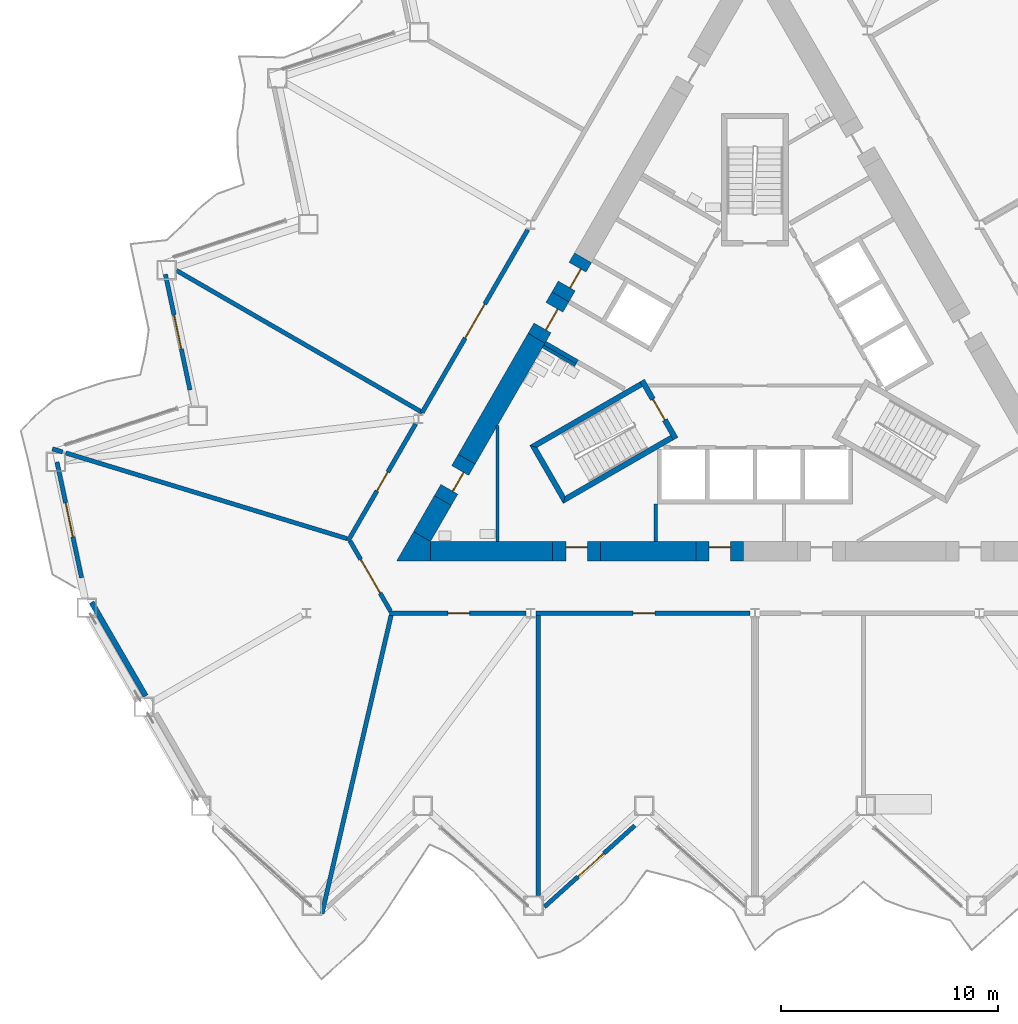
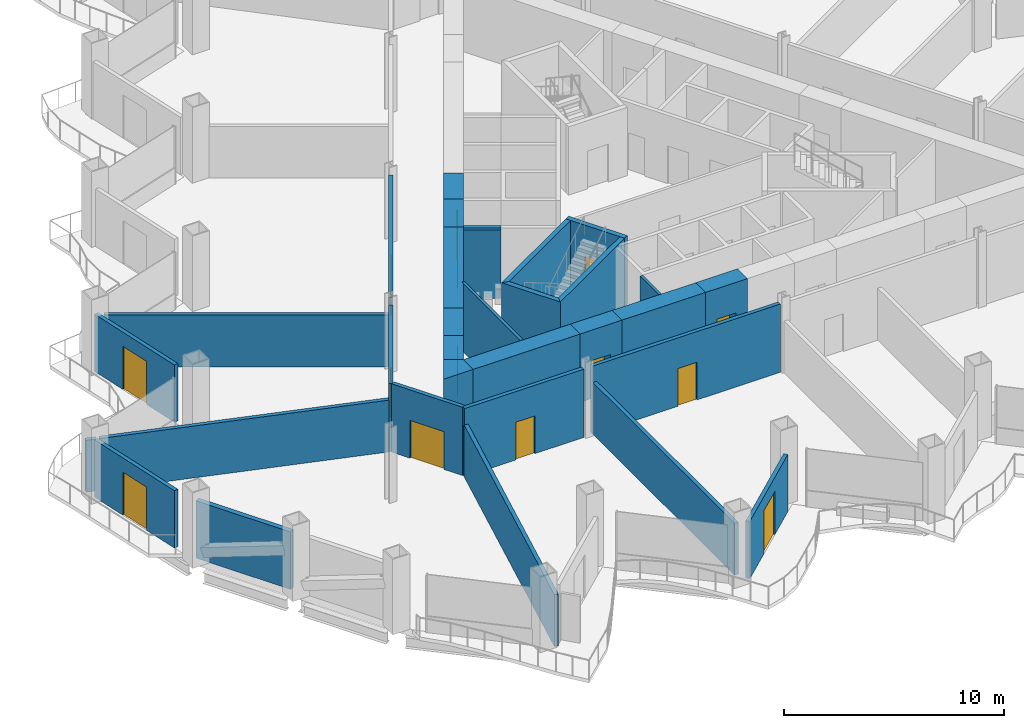
# One storey, part 10 of 21: 32 walls, 14 doors, 14 openings.
"""IFC4 building model written with IfcOpenShell, lengths in metres."""

from ifc_helpers import new_model, si_unit, direction, frame, frame_2d, origin, place, context, subcontext, project, spatial, polyline, rectangle, outline, extrude, material, layer, layer_set, type_object, element, fill, save


model = new_model("IFC4")

# Units and contexts
model_context = context("Model", 3, precision=1e-05, world=origin(), true_north=direction((0.0, 1.0)))
body_context = subcontext(model_context, "Body", "Model", "MODEL_VIEW")
ifc_project = project(units=[si_unit("LENGTHUNIT", "METRE"), si_unit("AREAUNIT", "SQUARE_METRE"), si_unit("VOLUMEUNIT", "CUBIC_METRE"), si_unit("PLANEANGLEUNIT", "RADIAN"), si_unit("MASSUNIT", "GRAM", prefix="KILO")], contexts=[model_context])

# Site, building, storey
site_placement = place(None, origin())
site = spatial("IfcSite", under=ifc_project, at=site_placement, CompositionType="ELEMENT")
building_placement = place(site_placement, origin())
building = spatial("IfcBuilding", under=site, at=building_placement, Name="Cormorant Prow Tower", CompositionType="ELEMENT")
storey_placement = place(building_placement, frame((0.0, 0.0, 103.800048828125)))
storey = spatial("IfcBuildingStorey", under=building, at=storey_placement, Name="L21", CompositionType="ELEMENT", Elevation=103.800048828125)

# Walls
ifc_material_1 = material(Name="Gypsum board partition")
ifc_layer_1 = layer(ifc_material_1, 0.14990234375)
ifc_layer_set_1 = layer_set([ifc_layer_1], Name="Gypsum board partition")
wall_type_1 = type_object("IfcWallType", Name="Core partition 150", PredefinedType="PARTITIONING", material=ifc_layer_set_1)
for number, where, z_axis, x_axis, name in (
    (1, (-8.268310546875, -0.509033203125, 0.0), (0.0, 0.0, 1.0), (-0.866024871741, 0.500000921525, 0.0), "Service room partition"),
    (2, (-4.574951171875, -6.906005859375, 0.0), (0.0, 0.0, 1.0), (0.0, -1.0, 0.0), "Service room partition"),
):
    element("IfcWall", number, at=place(storey_placement, frame(where, z_axis=z_axis, x_axis=x_axis)), inside=storey, type_object=wall_type_1, Name=name, PredefinedType="PARTITIONING", context=body_context, shape_type="SweptSolid", body=[
        extrude(rectangle(XDim=1.72021484375, YDim=0.14990234375, at=frame_2d((0.860107421875, 0.0))), origin(), (0.0, 0.0, 1.0), 3.800048828125),
    ])
wall_1_placement = place(storey_placement, frame((-11.853759765625, -8.626220703125, 0.0), z_axis=(0.0, 0.0, 1.0), x_axis=(0.0, 1.0, 0.0)))
element("IfcWall", 3, at=wall_1_placement, inside=storey, type_object=wall_type_1, Name="Service room partition", PredefinedType="PARTITIONING", context=body_context, shape_type="SweptSolid", body=[
    extrude(rectangle(XDim=5.347412109375, YDim=0.14990234375, at=frame_2d((2.673828125, 0.0))), origin(), (0.0, 0.0, 1.0), 3.800048828125),
])
ifc_material_2 = material(Name="Concrete 8000 psi", Category="concrete")
ifc_layer_2 = layer(ifc_material_2, 0.89990234375)
ifc_layer_set_2 = layer_set([ifc_layer_2], Name="Concrete 8000 psi")
wall_type_2 = type_object("IfcWallType", Name="Core shear wall 900", PredefinedType="SHEAR", material=ifc_layer_set_2)
wall_2_placement = place(storey_placement, frame((-14.941162109375, -9.076416015625, 0.0), z_axis=(0.0, 0.0, 1.0), x_axis=(1.0, 0.0, 0.0)))
element("IfcWall", 4, at=wall_2_placement, inside=storey, type_object=wall_type_2, Name="Core wall", PredefinedType="SHEAR", context=body_context, shape_type="SweptSolid", body=[
    extrude(rectangle(XDim=5.626708984375, YDim=0.89990234375, at=frame_2d((2.8134765625, 0.0))), origin(), (0.0, 0.0, 1.0), 3.800048828125),
])
wall_3_placement = place(storey_placement, frame((-7.114501953125, -9.076416015625, 0.0), z_axis=(0.0, 0.0, 1.0), x_axis=(1.0, 0.0, 0.0)))
element("IfcWall", 5, at=wall_3_placement, inside=storey, type_object=wall_type_2, Name="Core wall", PredefinedType="SHEAR", context=body_context, shape_type="SweptSolid", body=[
    extrude(rectangle(XDim=4.393310546875, YDim=0.89990234375, at=frame_2d((2.19677734375, 0.0))), origin(), (0.0, 0.0, 1.0), 3.800048828125),
])
wall_4_placement = place(storey_placement, frame((-10.060302734375, 0.7275390625, 0.0), z_axis=(0.0, 0.0, 1.0), x_axis=(-0.500002975332, -0.866023685969, 0.0)))
element("IfcWall", 6, at=wall_4_placement, inside=storey, type_object=wall_type_2, Name="Core wall", PredefinedType="SHEAR", context=body_context, shape_type="SweptSolid", body=[
    extrude(rectangle(XDim=6.4287109375, YDim=0.89990234375, at=frame_2d((3.21435546875, 0.0))), origin(), (0.0, 0.0, 1.0), 3.800048828125),
])
wall_5_placement = place(storey_placement, frame((-14.374755859375, -6.7451171875, 0.0), z_axis=(0.0, 0.0, 1.0), x_axis=(-0.499928740635, -0.866066541489, 0.0)))
element("IfcWall", 7, at=wall_5_placement, inside=storey, type_object=wall_type_2, Name="Core wall", PredefinedType="SHEAR", context=body_context, shape_type="SweptSolid", body=[
    extrude(rectangle(XDim=1.912353515625, YDim=0.89990234375, at=frame_2d((0.9560546875, 0.0))), origin(), (0.0, 0.0, 1.0), 3.800048828125),
])
wall_6_placement = place(storey_placement, origin())
element("IfcWall", 8, at=wall_6_placement, inside=storey, type_object=wall_type_2, Name="Core wall corner", PredefinedType="SHEAR", context=body_context, shape_type="SweptSolid", body=[
    extrude(outline(polyline([(-14.941162109375, -8.626220703125), (-14.941162109375, -9.5263671875), (-16.5, -9.5263671875), (-15.720703125, -8.17626953125), (-14.941162109375, -8.626220703125)])), origin(), (0.0, 0.0, 1.0), 3.800048828125),
])

# Wall, opening, door
wall_7_placement = place(storey_placement, frame((-2.72119140625, -9.076416015625, 0.0), z_axis=(0.0, 0.0, 1.0), x_axis=(1.0, 0.0, 0.0)))
wall_7 = element("IfcWall", 9, at=wall_7_placement, inside=storey, type_object=wall_type_2, Name="Core wall door panel", PredefinedType="SHEAR", context=body_context, shape_type="SweptSolid", body=[
    extrude(rectangle(XDim=2.199951171875, YDim=0.89990234375, at=frame_2d((1.10009765625, 0.0))), origin(), (0.0, 0.0, 1.0), 3.800048828125),
])
opening_1_placement = place(wall_7_placement, frame((0.60009765625, 0.0, 0.0)))
opening_1 = element("IfcOpeningElement", 10, at=opening_1_placement, cuts=wall_7, Name="Opening L21-C15", PredefinedType="OPENING", context=body_context, shape_type="SweptSolid", body=[
    extrude(rectangle(XDim=1.0, YDim=2.10009765625, at=frame_2d((0.5, 1.050048828125))), frame((0.0, 0.4599609375, 0.0), z_axis=(0.0, -1.0, 0.0), x_axis=(1.0, 0.0, 0.0)), (0.0, 0.0, 1.0), 0.919921875),
])
ifc_material_3 = material(Name="Painted steel", Category="steel")
door_type_1 = type_object("IfcDoorType", Name="Service door 1000x2100", OperationType="NOTDEFINED", PredefinedType="DOOR", material=ifc_material_3)
door_1_placement = place(opening_1_placement, origin())
door_1 = element("IfcDoor", 11, at=door_1_placement, inside=storey, type_object=door_type_1, Name="Core door, Telecom room", OperationType="SINGLE_SWING_LEFT", OverallHeight=2.10009765625, OverallWidth=1.0, PredefinedType="DOOR", context=body_context, shape_type="SweptSolid", body=[
    extrude(rectangle(XDim=1.0, YDim=2.10009765625, at=frame_2d((0.5, 1.050048828125))), frame((0.0, 0.205078125, 0.0), z_axis=(0.0, -1.0, 0.0), x_axis=(1.0, 0.0, 0.0)), (0.0, 0.0, 1.0), 0.050048828125),
])
fill(opening_1, door_1)

wall_8_placement = place(storey_placement, frame((-13.274658203125, -4.83984375, 0.0), z_axis=(0.0, 0.0, 1.0), x_axis=(-0.50002983664, -0.866008176907, 0.0)))
wall_8 = element("IfcWall", 12, at=wall_8_placement, inside=storey, type_object=wall_type_2, Name="Core wall door panel", PredefinedType="SHEAR", context=body_context, shape_type="SweptSolid", body=[
    extrude(rectangle(XDim=2.199951171875, YDim=0.89990234375, at=frame_2d((1.10009765625, 0.0))), origin(), (0.0, 0.0, 1.0), 3.800048828125),
])
opening_2_placement = place(wall_8_placement, frame((0.60009765625, 0.0, 0.0)))
opening_2 = element("IfcOpeningElement", 13, at=opening_2_placement, cuts=wall_8, Name="Opening L21-C18", PredefinedType="OPENING", context=body_context, shape_type="SweptSolid", body=[
    extrude(rectangle(XDim=1.0, YDim=2.10009765625, at=frame_2d((0.5, 1.050048828125))), frame((0.0, 0.4599609375, 0.0), z_axis=(0.0, -1.0, 0.0), x_axis=(1.0, 0.0, 0.0)), (0.0, 0.0, 1.0), 0.919921875),
])
door_2_placement = place(opening_2_placement, origin())
door_2 = element("IfcDoor", 14, at=door_2_placement, inside=storey, type_object=door_type_1, Name="Core door, Accessible WC L21", OperationType="SINGLE_SWING_RIGHT", OverallHeight=2.10009765625, OverallWidth=1.0, PredefinedType="DOOR", context=body_context, shape_type="SweptSolid", body=[
    extrude(rectangle(XDim=1.0, YDim=2.10009765625, at=frame_2d((0.5, 1.050048828125))), frame((0.0, 0.205078125, 0.0), z_axis=(0.0, -1.0, 0.0), x_axis=(1.0, 0.0, 0.0)), (0.0, 0.0, 1.0), 0.050048828125),
])
fill(opening_2, door_2)

wall_9_placement = place(storey_placement, frame((-9.314453125, -9.076416015625, 0.0), z_axis=(0.0, 0.0, 1.0), x_axis=(1.0, 0.0, 0.0)))
wall_9 = element("IfcWall", 15, at=wall_9_placement, inside=storey, type_object=wall_type_2, Name="Core wall door panel", PredefinedType="SHEAR", context=body_context, shape_type="SweptSolid", body=[
    extrude(rectangle(XDim=2.199951171875, YDim=0.89990234375, at=frame_2d((1.10009765625, 0.0))), origin(), (0.0, 0.0, 1.0), 3.800048828125),
])
opening_3_placement = place(wall_9_placement, frame((0.60009765625, 0.0, 0.0)))
opening_3 = element("IfcOpeningElement", 16, at=opening_3_placement, cuts=wall_9, Name="Opening L21-C19", PredefinedType="OPENING", context=body_context, shape_type="SweptSolid", body=[
    extrude(rectangle(XDim=1.0, YDim=2.10009765625, at=frame_2d((0.5, 1.050048828125))), frame((0.0, 0.4599609375, 0.0), z_axis=(0.0, -1.0, 0.0), x_axis=(1.0, 0.0, 0.0)), (0.0, 0.0, 1.0), 0.919921875),
])
door_3_placement = place(opening_3_placement, origin())
door_3 = element("IfcDoor", 17, at=door_3_placement, inside=storey, type_object=door_type_1, Name="Core door, Toilets (women) L21", OperationType="SINGLE_SWING_RIGHT", OverallHeight=2.10009765625, OverallWidth=1.0, PredefinedType="DOOR", context=body_context, shape_type="SweptSolid", body=[
    extrude(rectangle(XDim=1.0, YDim=2.10009765625, at=frame_2d((0.5, 1.050048828125))), frame((0.0, 0.205078125, 0.0), z_axis=(0.0, -1.0, 0.0), x_axis=(1.0, 0.0, 0.0)), (0.0, 0.0, 1.0), 0.050048828125),
])
fill(opening_3, door_3)

wall_10_placement = place(storey_placement, frame((-7.92041015625, 4.43408203125, 0.0), z_axis=(0.0, 0.0, 1.0), x_axis=(-0.499939227269, -0.866060488094, 0.0)))
wall_10 = element("IfcWall", 18, at=wall_10_placement, inside=storey, type_object=wall_type_2, Name="Core wall door panel", PredefinedType="SHEAR", context=body_context, shape_type="SweptSolid", body=[
    extrude(rectangle(XDim=2.079833984375, YDim=0.89990234375, at=frame_2d((1.0400390625, 0.0))), origin(), (0.0, 0.0, 1.0), 3.800048828125),
])
opening_4_placement = place(wall_10_placement, frame((0.5, 0.0, 0.0)))
opening_4 = element("IfcOpeningElement", 19, at=opening_4_placement, cuts=wall_10, Name="Opening L21-C21", PredefinedType="OPENING", context=body_context, shape_type="SweptSolid", body=[
    extrude(rectangle(XDim=1.0, YDim=2.10009765625, at=frame_2d((0.5, 1.050048828125))), frame((0.0, 0.4599609375, 0.0), z_axis=(0.0, -1.0, 0.0), x_axis=(1.0, 0.0, 0.0)), (0.0, 0.0, 1.0), 0.919921875),
])
door_4_placement = place(opening_4_placement, origin())
door_4 = element("IfcDoor", 20, at=door_4_placement, inside=storey, type_object=door_type_1, Name="Core door, Electrical room", OperationType="SINGLE_SWING_LEFT", OverallHeight=2.10009765625, OverallWidth=1.0, PredefinedType="DOOR", context=body_context, shape_type="SweptSolid", body=[
    extrude(rectangle(XDim=1.0, YDim=2.10009765625, at=frame_2d((0.5, 1.050048828125))), frame((0.0, 0.205078125, 0.0), z_axis=(0.0, -1.0, 0.0), x_axis=(1.0, 0.0, 0.0)), (0.0, 0.0, 1.0), 0.050048828125),
])
fill(opening_4, door_4)

wall_11_placement = place(storey_placement, frame((-8.960205078125, 2.6328125, 0.0), z_axis=(0.0, 0.0, 1.0), x_axis=(-0.50002983664, -0.866008176907, 0.0)))
wall_11 = element("IfcWall", 21, at=wall_11_placement, inside=storey, type_object=wall_type_2, Name="Core wall door panel", PredefinedType="SHEAR", context=body_context, shape_type="SweptSolid", body=[
    extrude(rectangle(XDim=2.199951171875, YDim=0.89990234375, at=frame_2d((1.10009765625, 0.0))), origin(), (0.0, 0.0, 1.0), 3.800048828125),
])
opening_5_placement = place(wall_11_placement, frame((0.550048828125, 0.0, 0.0)))
opening_5 = element("IfcOpeningElement", 22, at=opening_5_placement, cuts=wall_11, Name="Opening L21-C24", PredefinedType="OPENING", context=body_context, shape_type="SweptSolid", body=[
    extrude(rectangle(XDim=1.10009765625, YDim=2.10009765625, at=frame_2d((0.550048828125, 1.050048828125))), frame((0.0, 0.4599609375, 0.0), z_axis=(0.0, -1.0, 0.0), x_axis=(1.0, 0.0, 0.0)), (0.0, 0.0, 1.0), 0.919921875),
])
ifc_material_4 = material(Name="Painted steel", Category="steel")
door_type_2 = type_object("IfcDoorType", Name="Core door 1100x2100", OperationType="NOTDEFINED", PredefinedType="DOOR", material=ifc_material_4)
door_5_placement = place(opening_5_placement, origin())
door_5 = element("IfcDoor", 23, at=door_5_placement, inside=storey, type_object=door_type_2, Name="Core door, lift lobby", OperationType="SINGLE_SWING_RIGHT", OverallHeight=2.10009765625, OverallWidth=1.10009765625, PredefinedType="DOOR", context=body_context, shape_type="SweptSolid", body=[
    extrude(rectangle(XDim=1.10009765625, YDim=2.10009765625, at=frame_2d((0.550048828125, 1.050048828125))), frame((0.0, 0.205078125, 0.0), z_axis=(0.0, -1.0, 0.0), x_axis=(1.0, 0.0, 0.0)), (0.0, 0.0, 1.0), 0.050048828125),
])
fill(opening_5, door_5)

ifc_material_5 = material(Name="Gypsum board corridor wall")
ifc_layer_3 = layer(ifc_material_5, 0.199951171875)
ifc_layer_set_3 = layer_set([ifc_layer_3], Name="Gypsum board corridor wall")
wall_type_3 = type_object("IfcWallType", Name="Corridor wall 200", PredefinedType="PARTITIONING", material=ifc_layer_set_3)
wall_12_placement = place(storey_placement, frame((-10.095458984375, -11.92626953125, 0.0), z_axis=(0.0, 0.0, 1.0), x_axis=(1.0, 0.0, 0.0)))
wall_12 = element("IfcWall", 24, at=wall_12_placement, inside=storey, type_object=wall_type_3, Name="Corridor wall", PredefinedType="PARTITIONING", context=body_context, shape_type="SweptSolid", body=[
    extrude(rectangle(XDim=9.8681640625, YDim=0.199951171875, at=frame_2d((4.93408203125, 0.0))), origin(), (0.0, 0.0, 1.0), 3.800048828125),
])
opening_6_placement = place(wall_12_placement, frame((4.484375, 0.0, 0.0)))
opening_6 = element("IfcOpeningElement", 25, at=opening_6_placement, cuts=wall_12, Name="Opening L21-F02", PredefinedType="OPENING", context=body_context, shape_type="SweptSolid", body=[
    extrude(rectangle(XDim=1.0, YDim=2.10009765625, at=frame_2d((0.5, 1.050048828125))), frame((0.0, 0.10986328125, 0.0), z_axis=(0.0, -1.0, 0.0), x_axis=(1.0, 0.0, 0.0)), (0.0, 0.0, 1.0), 0.219970703125),
])
ifc_material_6 = material(Name="Timber door leaf", Category="wood")
door_type_3 = type_object("IfcDoorType", Name="Office door 1000x2100", OperationType="NOTDEFINED", PredefinedType="DOOR", material=ifc_material_6)
door_6_placement = place(opening_6_placement, origin())
door_6 = element("IfcDoor", 26, at=door_6_placement, inside=storey, type_object=door_type_3, Name="Tenant suite door", OperationType="SINGLE_SWING_RIGHT", OverallHeight=2.10009765625, OverallWidth=1.0, PredefinedType="DOOR", context=body_context, shape_type="SweptSolid", body=[
    extrude(rectangle(XDim=1.0, YDim=2.10009765625, at=frame_2d((0.5, 1.050048828125))), frame((0.0, 0.02490234375, 0.0), z_axis=(0.0, -1.0, 0.0), x_axis=(1.0, 0.0, 0.0)), (0.0, 0.0, 1.0), 0.050048828125),
])
fill(opening_6, door_6)

wall_13_placement = place(storey_placement, frame((-15.326171875, -2.693115234375, 0.0), z_axis=(0.0, 0.0, 1.0), x_axis=(0.500010522431, 0.866019328571, 0.0)))
wall_13 = element("IfcWall", 27, at=wall_13_placement, inside=storey, type_object=wall_type_3, Name="Corridor wall", PredefinedType="PARTITIONING", context=body_context, shape_type="SweptSolid", body=[
    extrude(rectangle(XDim=9.732666015625, YDim=0.199951171875, at=frame_2d((4.8662109375, 0.0))), origin(), (0.0, 0.0, 1.0), 3.800048828125),
])
opening_7_placement = place(wall_13_placement, frame((3.96630859375, 0.0, 0.0)))
opening_7 = element("IfcOpeningElement", 28, at=opening_7_placement, cuts=wall_13, Name="Opening L21-F13", PredefinedType="OPENING", context=body_context, shape_type="SweptSolid", body=[
    extrude(rectangle(XDim=1.800048828125, YDim=2.10009765625, at=frame_2d((0.89990234375, 1.050048828125))), frame((0.0, 0.10986328125, 0.0), z_axis=(0.0, -1.0, 0.0), x_axis=(1.0, 0.0, 0.0)), (0.0, 0.0, 1.0), 0.219970703125),
])
ifc_material_7 = material(Name="Timber door leaf", Category="wood")
door_type_4 = type_object("IfcDoorType", Name="Double door 1800x2100", OperationType="DOUBLE_DOOR_SINGLE_SWING", PredefinedType="DOOR", material=ifc_material_7)
door_7_placement = place(opening_7_placement, origin())
door_7 = element("IfcDoor", 29, at=door_7_placement, inside=storey, type_object=door_type_4, Name="Trading room door", OperationType="DOUBLE_DOOR_SINGLE_SWING", OverallHeight=2.10009765625, OverallWidth=1.800048828125, PredefinedType="DOOR", context=body_context, shape_type="SweptSolid", body=[
    extrude(rectangle(XDim=1.800048828125, YDim=2.10009765625, at=frame_2d((0.89990234375, 1.050048828125))), frame((0.0, 0.02490234375, 0.0), z_axis=(0.0, -1.0, 0.0), x_axis=(1.0, 0.0, 0.0)), (0.0, 0.0, 1.0), 0.050048828125),
])
fill(opening_7, door_7)

wall_14_placement = place(storey_placement, frame((-16.830810546875, -11.92626953125, 0.0), z_axis=(0.0, 0.0, 1.0), x_axis=(1.0, 0.0, 0.0)))
wall_14 = element("IfcWall", 30, at=wall_14_placement, inside=storey, type_object=wall_type_3, Name="Corridor wall", PredefinedType="PARTITIONING", context=body_context, shape_type="SweptSolid", body=[
    extrude(rectangle(XDim=6.27490234375, YDim=0.199951171875, at=frame_2d((3.137451171875, 0.0))), origin(), (0.0, 0.0, 1.0), 3.800048828125),
])
opening_8_placement = place(wall_14_placement, frame((2.688232421875, 0.0, 0.0)))
opening_8 = element("IfcOpeningElement", 31, at=opening_8_placement, cuts=wall_14, Name="Opening L21-F01", PredefinedType="OPENING", context=body_context, shape_type="SweptSolid", body=[
    extrude(rectangle(XDim=1.0, YDim=2.10009765625, at=frame_2d((0.5, 1.050048828125))), frame((0.0, 0.10986328125, 0.0), z_axis=(0.0, -1.0, 0.0), x_axis=(1.0, 0.0, 0.0)), (0.0, 0.0, 1.0), 0.219970703125),
])
door_8_placement = place(opening_8_placement, origin())
door_8 = element("IfcDoor", 32, at=door_8_placement, inside=storey, type_object=door_type_3, Name="Co-working room door", OperationType="SINGLE_SWING_RIGHT", OverallHeight=2.10009765625, OverallWidth=1.0, PredefinedType="DOOR", context=body_context, shape_type="SweptSolid", body=[
    extrude(rectangle(XDim=1.0, YDim=2.10009765625, at=frame_2d((0.5, 1.050048828125))), frame((0.0, 0.02490234375, 0.0), z_axis=(0.0, -1.0, 0.0), x_axis=(1.0, 0.0, 0.0)), (0.0, 0.0, 1.0), 0.050048828125),
])
fill(opening_8, door_8)

wall_15_placement = place(storey_placement, frame((-18.743896484375, -8.61279296875, 0.0), z_axis=(0.0, 0.0, 1.0), x_axis=(0.499997920671, 0.866026604282, 0.0)))
wall_15 = element("IfcWall", 33, at=wall_15_placement, inside=storey, type_object=wall_type_3, Name="Corridor wall", PredefinedType="PARTITIONING", context=body_context, shape_type="SweptSolid", body=[
    extrude(rectangle(XDim=6.23974609375, YDim=0.199951171875, at=frame_2d((3.119873046875, 0.0))), origin(), (0.0, 0.0, 1.0), 3.800048828125),
])
opening_9_placement = place(wall_15_placement, frame((2.67041015625, 0.0, 0.0)))
opening_9 = element("IfcOpeningElement", 34, at=opening_9_placement, cuts=wall_15, Name="Opening L21-F14", PredefinedType="OPENING", context=body_context, shape_type="SweptSolid", body=[
    extrude(rectangle(XDim=1.0, YDim=2.10009765625, at=frame_2d((0.5, 1.050048828125))), frame((0.0, 0.10986328125, 0.0), z_axis=(0.0, -1.0, 0.0), x_axis=(1.0, 0.0, 0.0)), (0.0, 0.0, 1.0), 0.219970703125),
])
door_9_placement = place(opening_9_placement, origin())
door_9 = element("IfcDoor", 35, at=door_9_placement, inside=storey, type_object=door_type_3, Name="Open-plan office door", OperationType="SINGLE_SWING_RIGHT", OverallHeight=2.10009765625, OverallWidth=1.0, PredefinedType="DOOR", context=body_context, shape_type="SweptSolid", body=[
    extrude(rectangle(XDim=1.0, YDim=2.10009765625, at=frame_2d((0.5, 1.050048828125))), frame((0.0, 0.02490234375, 0.0), z_axis=(0.0, -1.0, 0.0), x_axis=(1.0, 0.0, 0.0)), (0.0, 0.0, 1.0), 0.050048828125),
])
fill(opening_9, door_9)

wall_16_placement = place(storey_placement, frame((-18.643798828125, -8.61279296875, 0.0), z_axis=(0.0, 0.0, 1.0), x_axis=(0.499958791762, -0.866049194065, 0.0)))
wall_16 = element("IfcWall", 36, at=wall_16_placement, inside=storey, type_object=wall_type_3, Name="Corridor wall", PredefinedType="PARTITIONING", context=body_context, shape_type="SweptSolid", body=[
    extrude(rectangle(XDim=3.725830078125, YDim=0.199951171875, at=frame_2d((1.86279296875, 0.0))), origin(), (0.0, 0.0, 1.0), 3.800048828125),
])
opening_10_placement = place(wall_16_placement, frame((0.962890625, 0.0, 0.0)))
opening_10 = element("IfcOpeningElement", 37, at=opening_10_placement, cuts=wall_16, Name="Opening L21-F15", PredefinedType="OPENING", context=body_context, shape_type="SweptSolid", body=[
    extrude(rectangle(XDim=1.800048828125, YDim=2.10009765625, at=frame_2d((0.89990234375, 1.050048828125))), frame((0.0, 0.10986328125, 0.0), z_axis=(0.0, -1.0, 0.0), x_axis=(1.0, 0.0, 0.0)), (0.0, 0.0, 1.0), 0.219970703125),
])
door_10_placement = place(opening_10_placement, origin())
door_10 = element("IfcDoor", 38, at=door_10_placement, inside=storey, type_object=door_type_4, Name="Trading room door", OperationType="DOUBLE_DOOR_SINGLE_SWING", OverallHeight=2.10009765625, OverallWidth=1.800048828125, PredefinedType="DOOR", context=body_context, shape_type="SweptSolid", body=[
    extrude(rectangle(XDim=1.800048828125, YDim=2.10009765625, at=frame_2d((0.89990234375, 1.050048828125))), frame((0.0, 0.02490234375, 0.0), z_axis=(0.0, -1.0, 0.0), x_axis=(1.0, 0.0, 0.0)), (0.0, 0.0, 1.0), 0.050048828125),
])
fill(opening_10, door_10)

# Walls
ifc_material_8 = material(Name="Gypsum board demising wall")
ifc_layer_4 = layer(ifc_material_8, 0.199951171875)
ifc_layer_set_4 = layer_set([ifc_layer_4], Name="Gypsum board demising wall")
wall_type_4 = type_object("IfcWallType", Name="Demising wall 200", PredefinedType="PARTITIONING", material=ifc_layer_set_4)
wall_17_placement = place(storey_placement, frame((-19.939697265625, -25.766845703125, 0.0), z_axis=(0.0, 0.0, 1.0), x_axis=(0.225854066841, 0.974161147086, 0.0)))
element("IfcWall", 39, at=wall_17_placement, inside=storey, type_object=wall_type_4, Name="Demising wall", PredefinedType="PARTITIONING", context=body_context, shape_type="SweptSolid", body=[
    extrude(rectangle(XDim=14.107666015625, YDim=0.199951171875, at=frame_2d((7.0537109375, 0.0))), origin(), (0.0, 0.0, 1.0), 2.88525390625),
])
wall_18_placement = place(storey_placement, frame((-31.736083984375, -4.552001953125, 0.0), z_axis=(0.0, 0.0, 1.0), x_axis=(0.956574643239, -0.291487481569, 0.0)))
element("IfcWall", 40, at=wall_18_placement, inside=storey, type_object=wall_type_4, Name="Demising wall", PredefinedType="PARTITIONING", context=body_context, shape_type="SweptSolid", body=[
    extrude(rectangle(XDim=13.5341796875, YDim=0.199951171875, at=frame_2d((6.76708984375, 0.0))), origin(), (0.0, 0.0, 1.0), 2.88525390625),
])
wall_19_placement = place(storey_placement, frame((-26.63623046875, 3.848388671875, 0.0), z_axis=(0.0, 0.0, 1.0), x_axis=(0.866029068465, -0.499993652534, 0.0)))
element("IfcWall", 41, at=wall_19_placement, inside=storey, type_object=wall_type_4, Name="Demising wall", PredefinedType="PARTITIONING", context=body_context, shape_type="SweptSolid", body=[
    extrude(rectangle(XDim=13.065673828125, YDim=0.199951171875, at=frame_2d((6.53271484375, 0.0))), origin(), (0.0, 0.0, 1.0), 2.88525390625),
])
wall_20_placement = place(storey_placement, frame((-9.9853515625, -24.939208984375, 0.0), z_axis=(0.0, 0.0, 1.0), x_axis=(0.0, 1.0, 0.0)))
element("IfcWall", 42, at=wall_20_placement, inside=storey, type_object=wall_type_4, Name="Demising wall", PredefinedType="PARTITIONING", context=body_context, shape_type="SweptSolid", body=[
    extrude(rectangle(XDim=12.912841796875, YDim=0.199951171875, at=frame_2d((6.45654296875, 0.0))), origin(), (0.0, 0.0, 1.0), 2.88525390625),
])
wall_21_placement = place(storey_placement, frame((-32.353759765625, -4.364013671875, 0.0), z_axis=(0.0, 0.0, 1.0), x_axis=(0.956697940105, -0.291082550832, 0.0)))
element("IfcWall", 43, at=wall_21_placement, inside=storey, type_object=wall_type_4, Name="Demising wall", PredefinedType="PARTITIONING", context=body_context, shape_type="SweptSolid", body=[
    extrude(rectangle(XDim=0.491455078125, YDim=0.199951171875, at=frame_2d((0.24560546875, 0.0))), origin(), (0.0, 0.0, 1.0), 2.88525390625),
])
ifc_material_9 = material(Name="Concrete 8000 psi", Category="concrete")
ifc_layer_5 = layer(ifc_material_9, 0.199951171875)
ifc_layer_set_5 = layer_set([ifc_layer_5], Name="Concrete 8000 psi")
wall_type_5 = type_object("IfcWallType", Name="Lift shaft wall 200", PredefinedType="SHEAR", material=ifc_layer_set_5)
wall_22_placement = place(storey_placement, frame((-8.180908203125, -0.357421875, 0.0), z_axis=(0.0, 0.0, 1.0), x_axis=(-0.866024871741, 0.500000921525, 0.0)))
element("IfcWall", 44, at=wall_22_placement, inside=storey, type_object=wall_type_5, Name="Lobby passage wall", PredefinedType="SHEAR", context=body_context, shape_type="SweptSolid", body=[
    extrude(rectangle(XDim=1.72021484375, YDim=0.199951171875, at=frame_2d((0.860107421875, 0.0))), origin(), (0.0, 0.0, 1.0), 3.800048828125),
])
ifc_material_10 = material(Name="Concrete 8000 psi", Category="concrete")
ifc_layer_6 = layer(ifc_material_10, 0.25)
ifc_layer_set_6 = layer_set([ifc_layer_6], Name="Concrete 8000 psi")
wall_type_6 = type_object("IfcWallType", Name="Stair wall 250", PredefinedType="SHEAR", material=ifc_layer_set_6)
wall_23_placement = place(storey_placement, origin())
element("IfcWall", 45, at=wall_23_placement, inside=storey, type_object=wall_type_6, Name="Stair ST1 enclosure wall (flank)", PredefinedType="SHEAR", context=body_context, shape_type="SweptSolid", body=[
    extrude(outline(polyline([(-5.30712890625, -1.28125), (-10.37353515625, -4.206298828125), (-10.031982421875, -4.2978515625), (-5.18212890625, -1.497802734375), (-5.30712890625, -1.28125)])), origin(), (0.0, 0.0, 1.0), 3.800048828125),
])
wall_24_placement = place(storey_placement, origin())
element("IfcWall", 46, at=wall_24_placement, inside=storey, type_object=wall_type_6, Name="Stair ST1 enclosure wall (end)", PredefinedType="SHEAR", context=body_context, shape_type="SweptSolid", body=[
    extrude(outline(polyline([(-10.37353515625, -4.206298828125), (-8.82958984375, -6.880615234375), (-8.738037109375, -6.5390625), (-10.031982421875, -4.2978515625), (-10.37353515625, -4.206298828125)])), origin(), (0.0, 0.0, 1.0), 3.800048828125),
])
wall_25_placement = place(storey_placement, origin())
element("IfcWall", 47, at=wall_25_placement, inside=storey, type_object=wall_type_6, Name="Stair ST1 enclosure wall (flank)", PredefinedType="SHEAR", context=body_context, shape_type="SweptSolid", body=[
    extrude(outline(polyline([(-8.738037109375, -6.5390625), (-8.82958984375, -6.880615234375), (-3.76318359375, -3.95556640625), (-3.88818359375, -3.739013671875), (-8.738037109375, -6.5390625)])), origin(), (0.0, 0.0, 1.0), 3.800048828125),
])

# Wall, opening, door
wall_26_placement = place(storey_placement, frame((-5.198974609375, -1.21875, 0.0), z_axis=(0.0, 0.0, 1.0), x_axis=(0.499982516597, -0.866035497597, 0.0)))
wall_26 = element("IfcWall", 48, at=wall_26_placement, inside=storey, type_object=wall_type_6, Name="Stair ST1 door wall", PredefinedType="SHEAR", context=body_context, shape_type="SweptSolid", body=[
    extrude(rectangle(XDim=3.087890625, YDim=0.25, at=frame_2d((1.5439453125, 0.0))), origin(), (0.0, 0.0, 1.0), 3.800048828125),
])
opening_11_placement = place(wall_26_placement, frame((0.993896484375, 0.0, 0.0)))
opening_11 = element("IfcOpeningElement", 49, at=opening_11_placement, cuts=wall_26, Name="Opening L21-C12", PredefinedType="OPENING", context=body_context, shape_type="SweptSolid", body=[
    extrude(rectangle(XDim=1.10009765625, YDim=2.10009765625, at=frame_2d((0.550048828125, 1.050048828125))), frame((0.0, 0.135009765625, 0.0), z_axis=(0.0, -1.0, 0.0), x_axis=(1.0, 0.0, 0.0)), (0.0, 0.0, 1.0), 0.27001953125),
])
ifc_material_11 = material(Name="Painted steel", Category="steel")
door_type_5 = type_object("IfcDoorType", Name="Stair door 1100x2100", OperationType="NOTDEFINED", PredefinedType="DOOR", material=ifc_material_11)
door_11_placement = place(opening_11_placement, origin())
door_11 = element("IfcDoor", 50, at=door_11_placement, inside=storey, type_object=door_type_5, Name="Stair ST1 door", OperationType="SINGLE_SWING_LEFT", OverallHeight=2.10009765625, OverallWidth=1.10009765625, PredefinedType="DOOR", context=body_context, shape_type="SweptSolid", body=[
    extrude(rectangle(XDim=1.10009765625, YDim=2.10009765625, at=frame_2d((0.550048828125, 1.050048828125))), frame((0.0, 0.02490234375, 0.0), z_axis=(0.0, -1.0, 0.0), x_axis=(1.0, 0.0, 0.0)), (0.0, 0.0, 1.0), 0.050048828125),
])
fill(opening_11, door_11)

# Wall
ifc_material_12 = material(Name="Terracotta", Category="masonry")
ifc_layer_7 = layer(ifc_material_12, 0.25)
ifc_layer_set_7 = layer_set([ifc_layer_7], Name="Terracotta")
wall_type_7 = type_object("IfcWallType", Name="Terracotta bay wall 250", PredefinedType="SOLIDWALL", material=ifc_layer_set_7)
wall_27_placement = place(storey_placement, frame((-30.54931640625, -11.4296875, 0.0), z_axis=(0.0, 0.0, 1.0), x_axis=(0.499992577793, -0.866029688955, 0.0)))
element("IfcWall", 51, at=wall_27_placement, inside=storey, type_object=wall_type_7, Name="Terracotta bay wall WSW00", PredefinedType="SOLIDWALL", context=body_context, shape_type="SweptSolid", body=[
    extrude(rectangle(XDim=4.98095703125, YDim=0.25, at=frame_2d((2.490478515625, 0.0))), origin(), (0.0, 0.0, 1.0), 3.18896484375),
])

# Wall, opening, door
ifc_material_13 = material(Name="Terracotta", Category="masonry")
ifc_layer_8 = layer(ifc_material_13, 0.199951171875)
ifc_layer_set_8 = layer_set([ifc_layer_8], Name="Terracotta")
wall_type_8 = type_object("IfcWallType", Name="Terracotta jamb wall 200", PredefinedType="SOLIDWALL", material=ifc_layer_set_8)
wall_28_placement = place(storey_placement, frame((-9.6962890625, -25.45556640625, 0.0), z_axis=(0.0, 0.0, 1.0), x_axis=(0.743151138555, 0.66912359491, 0.0)))
wall_28 = element("IfcWall", 52, at=wall_28_placement, inside=storey, type_object=wall_type_8, Name="Terracotta jamb wall S03", PredefinedType="SOLIDWALL", context=body_context, shape_type="SweptSolid", body=[
    extrude(rectangle(XDim=5.603271484375, YDim=0.199951171875, at=frame_2d((2.8017578125, 0.0))), origin(), (0.0, 0.0, 1.0), 3.18896484375),
])
opening_12_placement = place(wall_28_placement, frame((2.080322265625, 0.0, 0.0)))
opening_12 = element("IfcOpeningElement", 53, at=opening_12_placement, cuts=wall_28, Name="Opening ED21.02", PredefinedType="OPENING", context=body_context, shape_type="SweptSolid", body=[
    extrude(rectangle(XDim=1.60009765625, YDim=2.39990234375, at=frame_2d((0.800048828125, 1.199951171875))), frame((0.0, 0.10986328125, 0.0), z_axis=(0.0, -1.0, 0.0), x_axis=(1.0, 0.0, 0.0)), (0.0, 0.0, 1.0), 0.219970703125),
])
ifc_material_14 = material(Name="Aluminium 6063-T6", Category="aluminium")
door_type_6 = type_object("IfcDoorType", Name="Balcony door 1600x2400", OperationType="DOUBLE_DOOR_SINGLE_SWING", PredefinedType="DOOR", material=ifc_material_14)
door_12_placement = place(opening_12_placement, origin())
door_12 = element("IfcDoor", 54, at=door_12_placement, inside=storey, type_object=door_type_6, Name="Balcony door S03 ED21.02", OperationType="DOUBLE_DOOR_SINGLE_SWING", OverallHeight=2.39990234375, OverallWidth=1.60009765625, PredefinedType="DOOR", context=body_context, shape_type="SweptSolid", body=[
    extrude(rectangle(XDim=1.60009765625, YDim=2.39990234375, at=frame_2d((0.800048828125, 1.199951171875))), frame((0.0, 0.02490234375, 0.0), z_axis=(0.0, -1.0, 0.0), x_axis=(1.0, 0.0, 0.0)), (0.0, 0.0, 1.0), 0.050048828125),
])
fill(opening_12, door_12)

wall_29_placement = place(storey_placement, frame((-27.149658203125, 3.67626953125, 0.0), z_axis=(0.0, 0.0, 1.0), x_axis=(0.207912369528, -0.978147456469, 0.0)))
wall_29 = element("IfcWall", 55, at=wall_29_placement, inside=storey, type_object=wall_type_8, Name="Terracotta jamb wall WNW07", PredefinedType="SOLIDWALL", context=body_context, shape_type="SweptSolid", body=[
    extrude(rectangle(XDim=5.446044921875, YDim=0.199951171875, at=frame_2d((2.72314453125, 0.0))), origin(), (0.0, 0.0, 1.0), 3.18896484375),
])
opening_13_placement = place(wall_29_placement, frame((1.923095703125, 0.0, 0.0)))
opening_13 = element("IfcOpeningElement", 56, at=opening_13_placement, cuts=wall_29, Name="Opening ED21.14", PredefinedType="OPENING", context=body_context, shape_type="SweptSolid", body=[
    extrude(rectangle(XDim=1.60009765625, YDim=2.39990234375, at=frame_2d((0.800048828125, 1.199951171875))), frame((0.0, 0.10986328125, 0.0), z_axis=(0.0, -1.0, 0.0), x_axis=(1.0, 0.0, 0.0)), (0.0, 0.0, 1.0), 0.219970703125),
])
door_13_placement = place(opening_13_placement, origin())
door_13 = element("IfcDoor", 57, at=door_13_placement, inside=storey, type_object=door_type_6, Name="Balcony door WNW07 ED21.14", OperationType="DOUBLE_DOOR_SINGLE_SWING", OverallHeight=2.39990234375, OverallWidth=1.60009765625, PredefinedType="DOOR", context=body_context, shape_type="SweptSolid", body=[
    extrude(rectangle(XDim=1.60009765625, YDim=2.39990234375, at=frame_2d((0.800048828125, 1.199951171875))), frame((0.0, 0.02490234375, 0.0), z_axis=(0.0, -1.0, 0.0), x_axis=(1.0, 0.0, 0.0)), (0.0, 0.0, 1.0), 0.050048828125),
])
fill(opening_13, door_13)

wall_30_placement = place(storey_placement, frame((-32.142333984375, -4.97119140625, 0.0), z_axis=(0.0, 0.0, 1.0), x_axis=(0.207903253291, -0.978149394148, 0.0)))
wall_30 = element("IfcWall", 58, at=wall_30_placement, inside=storey, type_object=wall_type_8, Name="Terracotta jamb wall WNW09", PredefinedType="SOLIDWALL", context=body_context, shape_type="SweptSolid", body=[
    extrude(rectangle(XDim=5.4462890625, YDim=0.199951171875, at=frame_2d((2.72314453125, 0.0))), origin(), (0.0, 0.0, 1.0), 3.18896484375),
])
opening_14_placement = place(wall_30_placement, frame((1.923095703125, 0.0, 0.0)))
opening_14 = element("IfcOpeningElement", 59, at=opening_14_placement, cuts=wall_30, Name="Opening ED21.15", PredefinedType="OPENING", context=body_context, shape_type="SweptSolid", body=[
    extrude(rectangle(XDim=1.60009765625, YDim=2.39990234375, at=frame_2d((0.800048828125, 1.199951171875))), frame((0.0, 0.10986328125, 0.0), z_axis=(0.0, -1.0, 0.0), x_axis=(1.0, 0.0, 0.0)), (0.0, 0.0, 1.0), 0.219970703125),
])
door_14_placement = place(opening_14_placement, origin())
door_14 = element("IfcDoor", 60, at=door_14_placement, inside=storey, type_object=door_type_6, Name="Balcony door WNW09 ED21.15", OperationType="DOUBLE_DOOR_SINGLE_SWING", OverallHeight=2.39990234375, OverallWidth=1.60009765625, PredefinedType="DOOR", context=body_context, shape_type="SweptSolid", body=[
    extrude(rectangle(XDim=1.60009765625, YDim=2.39990234375, at=frame_2d((0.800048828125, 1.199951171875))), frame((0.0, 0.02490234375, 0.0), z_axis=(0.0, -1.0, 0.0), x_axis=(1.0, 0.0, 0.0)), (0.0, 0.0, 1.0), 0.050048828125),
])
fill(opening_14, door_14)

save(model, "model.ifc")
